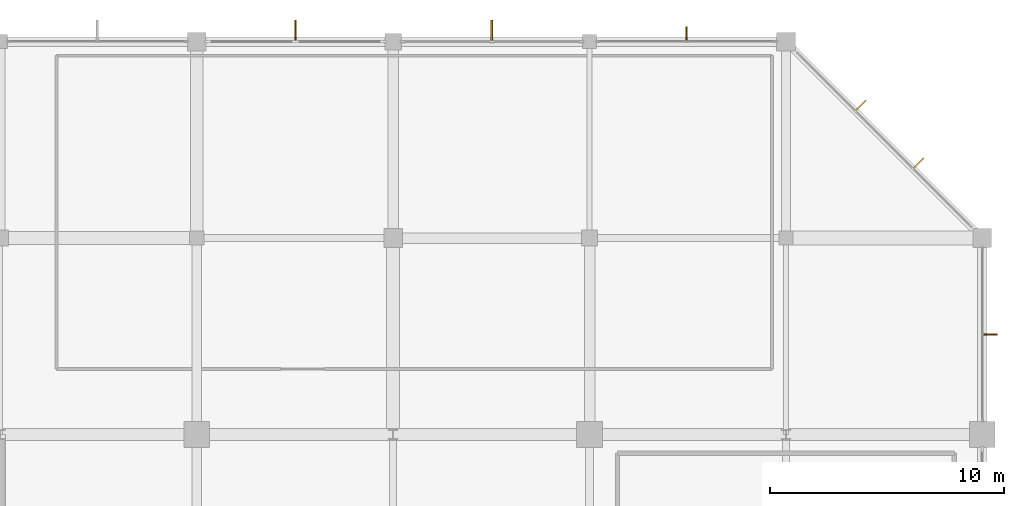
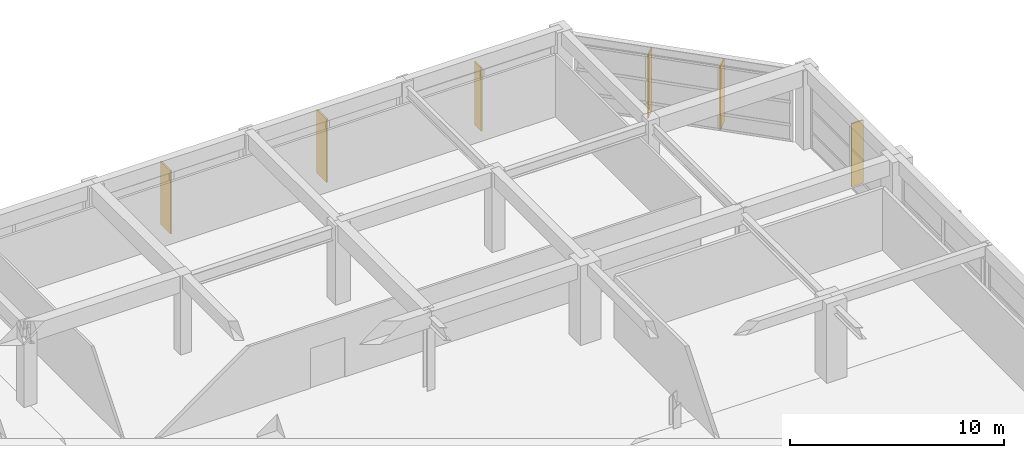
# One storey, part 56 of 56: 6 shading devices.
"""IFC4 building model written with IfcOpenShell, lengths in metres."""

from ifc_helpers import new_model, si_unit, direction, frame, origin, origin_2d, place, context, subcontext, project, spatial, rectangle, extrude, material, type_object, element, save


model = new_model("IFC4")

# Units and contexts
model_context = context("Model", 3, precision=1e-05, world=origin(), true_north=direction((0.0, 1.0)))
body_context = subcontext(model_context, "Body", "Model", "MODEL_VIEW")
ifc_project = project(units=[si_unit("LENGTHUNIT", "METRE"), si_unit("AREAUNIT", "SQUARE_METRE"), si_unit("VOLUMEUNIT", "CUBIC_METRE"), si_unit("PLANEANGLEUNIT", "RADIAN"), si_unit("MASSUNIT", "GRAM", prefix="KILO")], contexts=[model_context])

# Site, building, storey
site_placement = place(None, origin())
site = spatial("IfcSite", under=ifc_project, at=site_placement, CompositionType="ELEMENT")
building_placement = place(site_placement, origin())
building = spatial("IfcBuilding", under=site, at=building_placement, Name="Xuanlan Plaza Opera House", CompositionType="ELEMENT")
storey_placement = place(building_placement, frame((0.0, 0.0, 18.89990234375)))
storey = spatial("IfcBuildingStorey", under=building, at=storey_placement, Name="L04", CompositionType="ELEMENT", Elevation=18.89990234375)

# Shading devices
ifc_material = material(Name="Anodised Aluminium 6063-T6", Category="aluminium")
shading_device_type_1 = type_object("IfcShadingDeviceType", Name="ENV-SHD-BRS01", PredefinedType="JALOUSIE", material=ifc_material)
for number, where, z_axis, x_axis, name in (
    (1, (168.324951171875, 88.27490234375, 0.0400390625), (0.0, 0.0, 1.0), (1.0, 0.0, 0.0), "Parametric Sunshade Fin L04-0222"),
    (2, (165.263427734375, 95.59619140625, 0.0400390625), (0.0, 0.0, 1.0), (0.707106781187, 0.707106781187, 0.0), "Parametric Sunshade Fin L04-0223"),
    (3, (162.796142578125, 98.0634765625, 0.0400390625), (0.0, 0.0, 1.0), (0.707106781187, 0.707106781187, 0.0), "Parametric Sunshade Fin L04-0224"),
    (4, (155.35009765625, 101.125, 0.0400390625), (0.0, 0.0, 1.0), (0.0, 1.0, 0.0), "Parametric Sunshade Fin L04-0225"),
):
    element("IfcShadingDevice", number, at=place(storey_placement, frame(where, z_axis=z_axis, x_axis=x_axis)), inside=storey, type_object=shading_device_type_1, Name=name, PredefinedType="JALOUSIE", context=body_context, shape_type="SweptSolid", body=[
        extrude(rectangle(XDim=0.639892578125, YDim=0.070068359375, at=origin_2d()), origin(), (0.0, 0.0, 1.0), 3.60009765625),
    ])
shading_device_type_2 = type_object("IfcShadingDeviceType", Name="ENV-SHD-BRS02", PredefinedType="JALOUSIE", material=ifc_material)
for number, where, z_axis, x_axis, name in (
    (5, (147.02490234375, 101.264892578125, 0.0400390625), (0.0, 0.0, 1.0), (0.0, 1.0, 0.0), "Parametric Sunshade Fin L04-0226"),
    (6, (138.625, 101.264892578125, 0.0400390625), (0.0, 0.0, 1.0), (0.0, 1.0, 0.0), "Parametric Sunshade Fin L04-0227"),
):
    element("IfcShadingDevice", number, at=place(storey_placement, frame(where, z_axis=z_axis, x_axis=x_axis)), inside=storey, type_object=shading_device_type_2, Name=name, PredefinedType="JALOUSIE", context=body_context, shape_type="SweptSolid", body=[
        extrude(rectangle(XDim=0.919921875, YDim=0.080078125, at=origin_2d()), origin(), (0.0, 0.0, 1.0), 3.60009765625),
    ])

save(model, "model.ifc")
